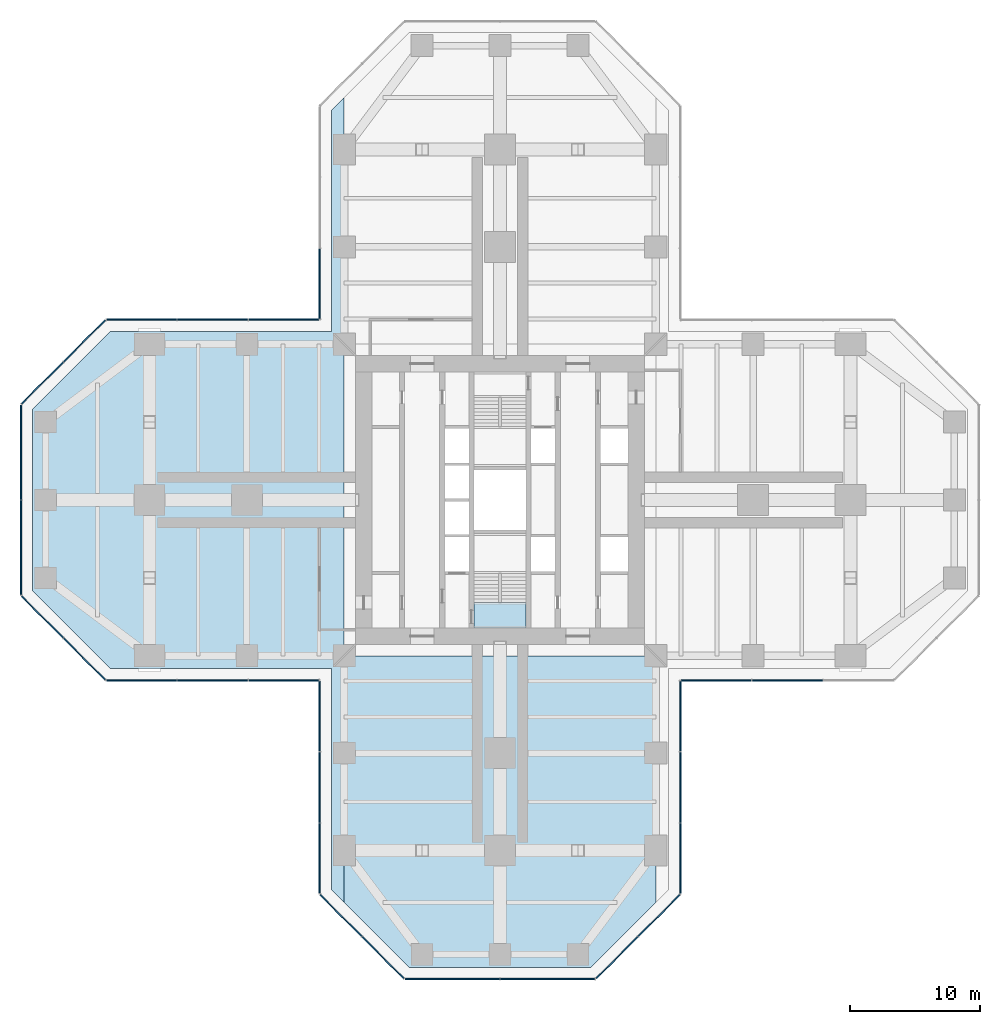
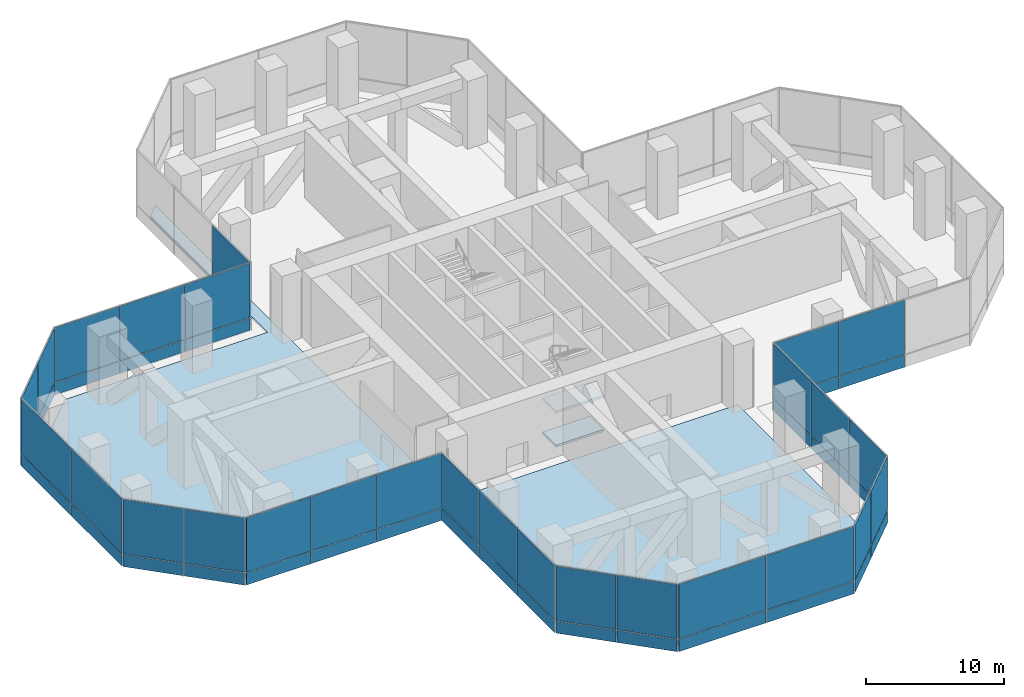
# One storey, part 13 of 20: 54 plates, 4 slabs, 13 elements without a shape of their own.
"""IFC4 building model written with IfcOpenShell, lengths in metres."""

from ifc_helpers import new_model, si_unit, direction, frame, origin, origin_2d, place, context, subcontext, project, spatial, polyline, rectangle, outline, extrude, material, layer, layer_set, type_object, element, aggregate, save


model = new_model("IFC4")

# Units and contexts
model_context = context("Model", 3, precision=1e-05, world=origin(), true_north=direction((0.0, 1.0)))
body_context = subcontext(model_context, "Body", "Model", "MODEL_VIEW")
ifc_project = project(units=[si_unit("LENGTHUNIT", "METRE"), si_unit("AREAUNIT", "SQUARE_METRE"), si_unit("VOLUMEUNIT", "CUBIC_METRE"), si_unit("PLANEANGLEUNIT", "RADIAN"), si_unit("MASSUNIT", "GRAM", prefix="KILO")], contexts=[model_context])

# Site, building, storey
site_placement = place(None, origin())
site = spatial("IfcSite", under=ifc_project, at=site_placement, CompositionType="ELEMENT")
building_placement = place(site_placement, origin())
building = spatial("IfcBuilding", under=site, at=building_placement, Name="Mizan Broadcast Tower", CompositionType="ELEMENT")
storey_placement = place(building_placement, frame((0.0, 0.0, 118.199951171875)))
storey = spatial("IfcBuildingStorey", under=building, at=storey_placement, Name="L26", CompositionType="ELEMENT", Elevation=118.199951171875)

# Curtain wall, plates
ifc_material_1 = material(Name="Aluminium framed glazing", Category="aluminium")
curtain_wall_type = type_object("IfcCurtainWallType", Name="PLANT LOUVRE", PredefinedType="USERDEFINED", material=ifc_material_1)
curtain_wall_1_placement = place(storey_placement, origin())
curtain_wall_1 = element("IfcCurtainWall", 1, at=curtain_wall_1_placement, inside=storey, type_object=curtain_wall_type, Name="Plant louvre L26 E side", ObjectType="PLANT LOUVRE", PredefinedType="USERDEFINED")
ifc_material_2 = material(Name="Extruded aluminium weather louvre, pale anodised", Category="aluminium")
ifc_layer_1 = layer(ifc_material_2, 0.10009765625)
ifc_layer_set_1 = layer_set([ifc_layer_1], Name="Extruded aluminium weather louvre, pale anodised")
plate_type = type_object("IfcPlateType", Name="PLANT LOUVRE PANEL", PredefinedType="USERDEFINED", material=ifc_layer_set_1)
plate_1_placement = place(storey_placement, frame((16.660400390625, -13.89990234375, 0.0), z_axis=(0.0, 0.0, 1.0), x_axis=(1.0, 0.0, 0.0)))
plate_1 = element("IfcPlate", 2, at=plate_1_placement, type_object=plate_type, Name="Plant louvre L26 E side panel 1.1", ObjectType="LOUVRE", PredefinedType="USERDEFINED", context=body_context, shape_type="SweptSolid", body=[
    extrude(rectangle(XDim=5.40087890625, YDim=0.10009765625, at=origin_2d()), origin(), (0.0, 0.0, 1.0), 1.070068359375),
])
plate_2_placement = place(storey_placement, frame((16.660400390625, -13.89990234375, 1.130126953125), z_axis=(0.0, 0.0, 1.0), x_axis=(1.0, 0.0, 0.0)))
plate_2 = element("IfcPlate", 3, at=plate_2_placement, type_object=plate_type, Name="Plant louvre L26 E side panel 1.2", ObjectType="LOUVRE", PredefinedType="USERDEFINED", context=body_context, shape_type="SweptSolid", body=[
    extrude(rectangle(XDim=5.40087890625, YDim=0.10009765625, at=origin_2d()), origin(), (0.0, 0.0, 1.0), 4.81005859375),
])
plate_3_placement = place(storey_placement, frame((22.136474609375, -13.89990234375, 0.0), z_axis=(0.0, 0.0, 1.0), x_axis=(1.0, 0.0, 0.0)))
plate_3 = element("IfcPlate", 4, at=plate_3_placement, type_object=plate_type, Name="Plant louvre L26 E side panel 2.1", ObjectType="LOUVRE", PredefinedType="USERDEFINED", context=body_context, shape_type="SweptSolid", body=[
    extrude(rectangle(XDim=5.430908203125, YDim=0.10009765625, at=origin_2d()), origin(), (0.0, 0.0, 1.0), 1.070068359375),
])
plate_4_placement = place(storey_placement, frame((22.136474609375, -13.89990234375, 1.130126953125), z_axis=(0.0, 0.0, 1.0), x_axis=(1.0, 0.0, 0.0)))
plate_4 = element("IfcPlate", 5, at=plate_4_placement, type_object=plate_type, Name="Plant louvre L26 E side panel 2.2", ObjectType="LOUVRE", PredefinedType="USERDEFINED", context=body_context, shape_type="SweptSolid", body=[
    extrude(rectangle(XDim=5.430908203125, YDim=0.10009765625, at=origin_2d()), origin(), (0.0, 0.0, 1.0), 4.81005859375),
])
aggregate(curtain_wall_1, [plate_1, plate_2, plate_3, plate_4])

curtain_wall_2_placement = place(storey_placement, origin())
curtain_wall_2 = element("IfcCurtainWall", 6, at=curtain_wall_2_placement, inside=storey, type_object=curtain_wall_type, Name="Plant louvre L26 N side", ObjectType="PLANT LOUVRE", PredefinedType="USERDEFINED")
plate_5_placement = place(storey_placement, frame((-13.89990234375, 16.660400390625, 0.0), z_axis=(0.0, 0.0, 1.0), x_axis=(0.0, -1.0, 0.0)))
plate_5 = element("IfcPlate", 7, at=plate_5_placement, type_object=plate_type, Name="Plant louvre L26 N side panel 3.1", ObjectType="LOUVRE", PredefinedType="USERDEFINED", context=body_context, shape_type="SweptSolid", body=[
    extrude(rectangle(XDim=5.40087890625, YDim=0.10009765625, at=origin_2d()), origin(), (0.0, 0.0, 1.0), 1.070068359375),
])
plate_6_placement = place(storey_placement, frame((-13.89990234375, 16.660400390625, 1.130126953125), z_axis=(0.0, 0.0, 1.0), x_axis=(0.0, -1.0, 0.0)))
plate_6 = element("IfcPlate", 8, at=plate_6_placement, type_object=plate_type, Name="Plant louvre L26 N side panel 3.2", ObjectType="LOUVRE", PredefinedType="USERDEFINED", context=body_context, shape_type="SweptSolid", body=[
    extrude(rectangle(XDim=5.40087890625, YDim=0.10009765625, at=origin_2d()), origin(), (0.0, 0.0, 1.0), 4.81005859375),
])
aggregate(curtain_wall_2, [plate_5, plate_6])

curtain_wall_3_placement = place(storey_placement, origin())
curtain_wall_3 = element("IfcCurtainWall", 9, at=curtain_wall_3_placement, inside=storey, type_object=curtain_wall_type, Name="Plant louvre L26 W side", ObjectType="PLANT LOUVRE", PredefinedType="USERDEFINED")
plate_7_placement = place(storey_placement, frame((-16.660400390625, 13.89990234375, 0.0), z_axis=(0.0, 0.0, 1.0), x_axis=(-1.0, 0.0, 0.0)))
plate_7 = element("IfcPlate", 10, at=plate_7_placement, type_object=plate_type, Name="Plant louvre L26 W side panel 1.1", ObjectType="LOUVRE", PredefinedType="USERDEFINED", context=body_context, shape_type="SweptSolid", body=[
    extrude(rectangle(XDim=5.40087890625, YDim=0.10009765625, at=origin_2d()), origin(), (0.0, 0.0, 1.0), 1.070068359375),
])
plate_8_placement = place(storey_placement, frame((-16.660400390625, 13.89990234375, 1.130126953125), z_axis=(0.0, 0.0, 1.0), x_axis=(-1.0, 0.0, 0.0)))
plate_8 = element("IfcPlate", 11, at=plate_8_placement, type_object=plate_type, Name="Plant louvre L26 W side panel 1.2", ObjectType="LOUVRE", PredefinedType="USERDEFINED", context=body_context, shape_type="SweptSolid", body=[
    extrude(rectangle(XDim=5.40087890625, YDim=0.10009765625, at=origin_2d()), origin(), (0.0, 0.0, 1.0), 4.81005859375),
])
plate_9_placement = place(storey_placement, frame((-22.136474609375, 13.89990234375, 0.0), z_axis=(0.0, 0.0, 1.0), x_axis=(-1.0, 0.0, 0.0)))
plate_9 = element("IfcPlate", 12, at=plate_9_placement, type_object=plate_type, Name="Plant louvre L26 W side panel 2.1", ObjectType="LOUVRE", PredefinedType="USERDEFINED", context=body_context, shape_type="SweptSolid", body=[
    extrude(rectangle(XDim=5.430908203125, YDim=0.10009765625, at=origin_2d()), origin(), (0.0, 0.0, 1.0), 1.070068359375),
])
plate_10_placement = place(storey_placement, frame((-22.136474609375, 13.89990234375, 1.130126953125), z_axis=(0.0, 0.0, 1.0), x_axis=(-1.0, 0.0, 0.0)))
plate_10 = element("IfcPlate", 13, at=plate_10_placement, type_object=plate_type, Name="Plant louvre L26 W side panel 2.2", ObjectType="LOUVRE", PredefinedType="USERDEFINED", context=body_context, shape_type="SweptSolid", body=[
    extrude(rectangle(XDim=5.430908203125, YDim=0.10009765625, at=origin_2d()), origin(), (0.0, 0.0, 1.0), 4.81005859375),
])
plate_11_placement = place(storey_placement, frame((-27.6123046875, 13.89990234375, 0.0), z_axis=(0.0, 0.0, 1.0), x_axis=(-1.0, 0.0, 0.0)))
plate_11 = element("IfcPlate", 14, at=plate_11_placement, type_object=plate_type, Name="Plant louvre L26 W side panel 3.1", ObjectType="LOUVRE", PredefinedType="USERDEFINED", context=body_context, shape_type="SweptSolid", body=[
    extrude(rectangle(XDim=5.40087890625, YDim=0.10009765625, at=origin_2d()), origin(), (0.0, 0.0, 1.0), 1.070068359375),
])
plate_12_placement = place(storey_placement, frame((-27.6123046875, 13.89990234375, 1.130126953125), z_axis=(0.0, 0.0, 1.0), x_axis=(-1.0, 0.0, 0.0)))
plate_12 = element("IfcPlate", 15, at=plate_12_placement, type_object=plate_type, Name="Plant louvre L26 W side panel 3.2", ObjectType="LOUVRE", PredefinedType="USERDEFINED", context=body_context, shape_type="SweptSolid", body=[
    extrude(rectangle(XDim=5.40087890625, YDim=0.10009765625, at=origin_2d()), origin(), (0.0, 0.0, 1.0), 4.81005859375),
])
aggregate(curtain_wall_3, [plate_7, plate_8, plate_9, plate_10, plate_11, plate_12])

curtain_wall_4_placement = place(storey_placement, origin())
curtain_wall_4 = element("IfcCurtainWall", 16, at=curtain_wall_4_placement, inside=storey, type_object=curtain_wall_type, Name="Plant louvre L26 W chamfer", ObjectType="PLANT LOUVRE", PredefinedType="USERDEFINED")
plate_13_placement = place(storey_placement, frame((-32.01513671875, 12.257568359375, 0.0), z_axis=(0.0, 0.0, 1.0), x_axis=(-0.707106781187, -0.707106781187, 0.0)))
plate_13 = element("IfcPlate", 17, at=plate_13_placement, type_object=plate_type, Name="Plant louvre L26 W chamfer panel 1.1", ObjectType="LOUVRE", PredefinedType="USERDEFINED", context=body_context, shape_type="SweptSolid", body=[
    extrude(rectangle(XDim=4.525390625, YDim=0.10009765625, at=origin_2d()), origin(), (0.0, 0.0, 1.0), 1.070068359375),
])
plate_14_placement = place(storey_placement, frame((-32.01513671875, 12.257568359375, 1.130126953125), z_axis=(0.0, 0.0, 1.0), x_axis=(-0.707106781187, -0.707106781187, 0.0)))
plate_14 = element("IfcPlate", 18, at=plate_14_placement, type_object=plate_type, Name="Plant louvre L26 W chamfer panel 1.2", ObjectType="LOUVRE", PredefinedType="USERDEFINED", context=body_context, shape_type="SweptSolid", body=[
    extrude(rectangle(XDim=4.525390625, YDim=0.10009765625, at=origin_2d()), origin(), (0.0, 0.0, 1.0), 4.81005859375),
])
plate_15_placement = place(storey_placement, frame((-35.257568359375, 9.01513671875, 0.0), z_axis=(0.0, 0.0, 1.0), x_axis=(-0.707106781187, -0.707106781187, 0.0)))
plate_15 = element("IfcPlate", 19, at=plate_15_placement, type_object=plate_type, Name="Plant louvre L26 W chamfer panel 2.1", ObjectType="LOUVRE", PredefinedType="USERDEFINED", context=body_context, shape_type="SweptSolid", body=[
    extrude(rectangle(XDim=4.525390625, YDim=0.10009765625, at=origin_2d()), origin(), (0.0, 0.0, 1.0), 1.070068359375),
])
plate_16_placement = place(storey_placement, frame((-35.257568359375, 9.01513671875, 1.130126953125), z_axis=(0.0, 0.0, 1.0), x_axis=(-0.707106781187, -0.707106781187, 0.0)))
plate_16 = element("IfcPlate", 20, at=plate_16_placement, type_object=plate_type, Name="Plant louvre L26 W chamfer panel 2.2", ObjectType="LOUVRE", PredefinedType="USERDEFINED", context=body_context, shape_type="SweptSolid", body=[
    extrude(rectangle(XDim=4.525390625, YDim=0.10009765625, at=origin_2d()), origin(), (0.0, 0.0, 1.0), 4.81005859375),
])
aggregate(curtain_wall_4, [plate_13, plate_14, plate_15, plate_16])

curtain_wall_5_placement = place(storey_placement, origin())
curtain_wall_5 = element("IfcCurtainWall", 21, at=curtain_wall_5_placement, inside=storey, type_object=curtain_wall_type, Name="Plant louvre L26 W end", ObjectType="PLANT LOUVRE", PredefinedType="USERDEFINED")
plate_17_placement = place(storey_placement, frame((-36.89990234375, 3.67138671875, 0.0), z_axis=(0.0, 0.0, 1.0), x_axis=(0.0, -1.0, 0.0)))
plate_17 = element("IfcPlate", 22, at=plate_17_placement, type_object=plate_type, Name="Plant louvre L26 W end panel 1.1", ObjectType="LOUVRE", PredefinedType="USERDEFINED", context=body_context, shape_type="SweptSolid", body=[
    extrude(rectangle(XDim=7.28271484375, YDim=0.10009765625, at=origin_2d()), origin(), (0.0, 0.0, 1.0), 1.070068359375),
])
plate_18_placement = place(storey_placement, frame((-36.89990234375, 3.67138671875, 1.130126953125), z_axis=(0.0, 0.0, 1.0), x_axis=(0.0, -1.0, 0.0)))
plate_18 = element("IfcPlate", 23, at=plate_18_placement, type_object=plate_type, Name="Plant louvre L26 W end panel 1.2", ObjectType="LOUVRE", PredefinedType="USERDEFINED", context=body_context, shape_type="SweptSolid", body=[
    extrude(rectangle(XDim=7.28271484375, YDim=0.10009765625, at=origin_2d()), origin(), (0.0, 0.0, 1.0), 4.81005859375),
])
plate_19_placement = place(storey_placement, frame((-36.89990234375, -3.67138671875, 0.0), z_axis=(0.0, 0.0, 1.0), x_axis=(0.0, -1.0, 0.0)))
plate_19 = element("IfcPlate", 24, at=plate_19_placement, type_object=plate_type, Name="Plant louvre L26 W end panel 2.1", ObjectType="LOUVRE", PredefinedType="USERDEFINED", context=body_context, shape_type="SweptSolid", body=[
    extrude(rectangle(XDim=7.28271484375, YDim=0.10009765625, at=origin_2d()), origin(), (0.0, 0.0, 1.0), 1.070068359375),
])
plate_20_placement = place(storey_placement, frame((-36.89990234375, -3.67138671875, 1.130126953125), z_axis=(0.0, 0.0, 1.0), x_axis=(0.0, -1.0, 0.0)))
plate_20 = element("IfcPlate", 25, at=plate_20_placement, type_object=plate_type, Name="Plant louvre L26 W end panel 2.2", ObjectType="LOUVRE", PredefinedType="USERDEFINED", context=body_context, shape_type="SweptSolid", body=[
    extrude(rectangle(XDim=7.28271484375, YDim=0.10009765625, at=origin_2d()), origin(), (0.0, 0.0, 1.0), 4.81005859375),
])
aggregate(curtain_wall_5, [plate_17, plate_18, plate_19, plate_20])

curtain_wall_6_placement = place(storey_placement, origin())
curtain_wall_6 = element("IfcCurtainWall", 26, at=curtain_wall_6_placement, inside=storey, type_object=curtain_wall_type, Name="Plant louvre L26 W chamfer", ObjectType="PLANT LOUVRE", PredefinedType="USERDEFINED")
plate_21_placement = place(storey_placement, frame((-35.257568359375, -9.01513671875, 0.0), z_axis=(0.0, 0.0, 1.0), x_axis=(0.707106781187, -0.707106781187, 0.0)))
plate_21 = element("IfcPlate", 27, at=plate_21_placement, type_object=plate_type, Name="Plant louvre L26 W chamfer panel 1.1", ObjectType="LOUVRE", PredefinedType="USERDEFINED", context=body_context, shape_type="SweptSolid", body=[
    extrude(rectangle(XDim=4.525390625, YDim=0.10009765625, at=origin_2d()), origin(), (0.0, 0.0, 1.0), 1.070068359375),
])
plate_22_placement = place(storey_placement, frame((-35.257568359375, -9.01513671875, 1.130126953125), z_axis=(0.0, 0.0, 1.0), x_axis=(0.707106781187, -0.707106781187, 0.0)))
plate_22 = element("IfcPlate", 28, at=plate_22_placement, type_object=plate_type, Name="Plant louvre L26 W chamfer panel 1.2", ObjectType="LOUVRE", PredefinedType="USERDEFINED", context=body_context, shape_type="SweptSolid", body=[
    extrude(rectangle(XDim=4.525390625, YDim=0.10009765625, at=origin_2d()), origin(), (0.0, 0.0, 1.0), 4.81005859375),
])
plate_23_placement = place(storey_placement, frame((-32.01513671875, -12.257568359375, 0.0), z_axis=(0.0, 0.0, 1.0), x_axis=(0.707106781187, -0.707106781187, 0.0)))
plate_23 = element("IfcPlate", 29, at=plate_23_placement, type_object=plate_type, Name="Plant louvre L26 W chamfer panel 2.1", ObjectType="LOUVRE", PredefinedType="USERDEFINED", context=body_context, shape_type="SweptSolid", body=[
    extrude(rectangle(XDim=4.525390625, YDim=0.10009765625, at=origin_2d()), origin(), (0.0, 0.0, 1.0), 1.070068359375),
])
plate_24_placement = place(storey_placement, frame((-32.01513671875, -12.257568359375, 1.130126953125), z_axis=(0.0, 0.0, 1.0), x_axis=(0.707106781187, -0.707106781187, 0.0)))
plate_24 = element("IfcPlate", 30, at=plate_24_placement, type_object=plate_type, Name="Plant louvre L26 W chamfer panel 2.2", ObjectType="LOUVRE", PredefinedType="USERDEFINED", context=body_context, shape_type="SweptSolid", body=[
    extrude(rectangle(XDim=4.525390625, YDim=0.10009765625, at=origin_2d()), origin(), (0.0, 0.0, 1.0), 4.81005859375),
])
aggregate(curtain_wall_6, [plate_21, plate_22, plate_23, plate_24])

curtain_wall_7_placement = place(storey_placement, origin())
curtain_wall_7 = element("IfcCurtainWall", 31, at=curtain_wall_7_placement, inside=storey, type_object=curtain_wall_type, Name="Plant louvre L26 W side", ObjectType="PLANT LOUVRE", PredefinedType="USERDEFINED")
plate_25_placement = place(storey_placement, frame((-27.6123046875, -13.89990234375, 0.0), z_axis=(0.0, 0.0, 1.0), x_axis=(1.0, 0.0, 0.0)))
plate_25 = element("IfcPlate", 32, at=plate_25_placement, type_object=plate_type, Name="Plant louvre L26 W side panel 1.1", ObjectType="LOUVRE", PredefinedType="USERDEFINED", context=body_context, shape_type="SweptSolid", body=[
    extrude(rectangle(XDim=5.40087890625, YDim=0.10009765625, at=origin_2d()), origin(), (0.0, 0.0, 1.0), 1.070068359375),
])
plate_26_placement = place(storey_placement, frame((-27.6123046875, -13.89990234375, 1.130126953125), z_axis=(0.0, 0.0, 1.0), x_axis=(1.0, 0.0, 0.0)))
plate_26 = element("IfcPlate", 33, at=plate_26_placement, type_object=plate_type, Name="Plant louvre L26 W side panel 1.2", ObjectType="LOUVRE", PredefinedType="USERDEFINED", context=body_context, shape_type="SweptSolid", body=[
    extrude(rectangle(XDim=5.40087890625, YDim=0.10009765625, at=origin_2d()), origin(), (0.0, 0.0, 1.0), 4.81005859375),
])
plate_27_placement = place(storey_placement, frame((-22.136474609375, -13.89990234375, 0.0), z_axis=(0.0, 0.0, 1.0), x_axis=(1.0, 0.0, 0.0)))
plate_27 = element("IfcPlate", 34, at=plate_27_placement, type_object=plate_type, Name="Plant louvre L26 W side panel 2.1", ObjectType="LOUVRE", PredefinedType="USERDEFINED", context=body_context, shape_type="SweptSolid", body=[
    extrude(rectangle(XDim=5.430908203125, YDim=0.10009765625, at=origin_2d()), origin(), (0.0, 0.0, 1.0), 1.070068359375),
])
plate_28_placement = place(storey_placement, frame((-22.136474609375, -13.89990234375, 1.130126953125), z_axis=(0.0, 0.0, 1.0), x_axis=(1.0, 0.0, 0.0)))
plate_28 = element("IfcPlate", 35, at=plate_28_placement, type_object=plate_type, Name="Plant louvre L26 W side panel 2.2", ObjectType="LOUVRE", PredefinedType="USERDEFINED", context=body_context, shape_type="SweptSolid", body=[
    extrude(rectangle(XDim=5.430908203125, YDim=0.10009765625, at=origin_2d()), origin(), (0.0, 0.0, 1.0), 4.81005859375),
])
plate_29_placement = place(storey_placement, frame((-16.660400390625, -13.89990234375, 0.0), z_axis=(0.0, 0.0, 1.0), x_axis=(1.0, 0.0, 0.0)))
plate_29 = element("IfcPlate", 36, at=plate_29_placement, type_object=plate_type, Name="Plant louvre L26 W side panel 3.1", ObjectType="LOUVRE", PredefinedType="USERDEFINED", context=body_context, shape_type="SweptSolid", body=[
    extrude(rectangle(XDim=5.40087890625, YDim=0.10009765625, at=origin_2d()), origin(), (0.0, 0.0, 1.0), 1.070068359375),
])
plate_30_placement = place(storey_placement, frame((-16.660400390625, -13.89990234375, 1.130126953125), z_axis=(0.0, 0.0, 1.0), x_axis=(1.0, 0.0, 0.0)))
plate_30 = element("IfcPlate", 37, at=plate_30_placement, type_object=plate_type, Name="Plant louvre L26 W side panel 3.2", ObjectType="LOUVRE", PredefinedType="USERDEFINED", context=body_context, shape_type="SweptSolid", body=[
    extrude(rectangle(XDim=5.40087890625, YDim=0.10009765625, at=origin_2d()), origin(), (0.0, 0.0, 1.0), 4.81005859375),
])
aggregate(curtain_wall_7, [plate_25, plate_26, plate_27, plate_28, plate_29, plate_30])

curtain_wall_8_placement = place(storey_placement, origin())
curtain_wall_8 = element("IfcCurtainWall", 38, at=curtain_wall_8_placement, inside=storey, type_object=curtain_wall_type, Name="Plant louvre L26 S side", ObjectType="PLANT LOUVRE", PredefinedType="USERDEFINED")
plate_31_placement = place(storey_placement, frame((-13.89990234375, -16.660400390625, 0.0), z_axis=(0.0, 0.0, 1.0), x_axis=(0.0, -1.0, 0.0)))
plate_31 = element("IfcPlate", 39, at=plate_31_placement, type_object=plate_type, Name="Plant louvre L26 S side panel 1.1", ObjectType="LOUVRE", PredefinedType="USERDEFINED", context=body_context, shape_type="SweptSolid", body=[
    extrude(rectangle(XDim=5.40087890625, YDim=0.10009765625, at=origin_2d()), origin(), (0.0, 0.0, 1.0), 1.070068359375),
])
plate_32_placement = place(storey_placement, frame((-13.89990234375, -16.660400390625, 1.130126953125), z_axis=(0.0, 0.0, 1.0), x_axis=(0.0, -1.0, 0.0)))
plate_32 = element("IfcPlate", 40, at=plate_32_placement, type_object=plate_type, Name="Plant louvre L26 S side panel 1.2", ObjectType="LOUVRE", PredefinedType="USERDEFINED", context=body_context, shape_type="SweptSolid", body=[
    extrude(rectangle(XDim=5.40087890625, YDim=0.10009765625, at=origin_2d()), origin(), (0.0, 0.0, 1.0), 4.81005859375),
])
plate_33_placement = place(storey_placement, frame((-13.89990234375, -22.136474609375, 0.0), z_axis=(0.0, 0.0, 1.0), x_axis=(0.0, -1.0, 0.0)))
plate_33 = element("IfcPlate", 41, at=plate_33_placement, type_object=plate_type, Name="Plant louvre L26 S side panel 2.1", ObjectType="LOUVRE", PredefinedType="USERDEFINED", context=body_context, shape_type="SweptSolid", body=[
    extrude(rectangle(XDim=5.430908203125, YDim=0.10009765625, at=origin_2d()), origin(), (0.0, 0.0, 1.0), 1.070068359375),
])
plate_34_placement = place(storey_placement, frame((-13.89990234375, -22.136474609375, 1.130126953125), z_axis=(0.0, 0.0, 1.0), x_axis=(0.0, -1.0, 0.0)))
plate_34 = element("IfcPlate", 42, at=plate_34_placement, type_object=plate_type, Name="Plant louvre L26 S side panel 2.2", ObjectType="LOUVRE", PredefinedType="USERDEFINED", context=body_context, shape_type="SweptSolid", body=[
    extrude(rectangle(XDim=5.430908203125, YDim=0.10009765625, at=origin_2d()), origin(), (0.0, 0.0, 1.0), 4.81005859375),
])
plate_35_placement = place(storey_placement, frame((-13.89990234375, -27.6123046875, 0.0), z_axis=(0.0, 0.0, 1.0), x_axis=(0.0, -1.0, 0.0)))
plate_35 = element("IfcPlate", 43, at=plate_35_placement, type_object=plate_type, Name="Plant louvre L26 S side panel 3.1", ObjectType="LOUVRE", PredefinedType="USERDEFINED", context=body_context, shape_type="SweptSolid", body=[
    extrude(rectangle(XDim=5.40087890625, YDim=0.10009765625, at=origin_2d()), origin(), (0.0, 0.0, 1.0), 1.070068359375),
])
plate_36_placement = place(storey_placement, frame((-13.89990234375, -27.6123046875, 1.130126953125), z_axis=(0.0, 0.0, 1.0), x_axis=(0.0, -1.0, 0.0)))
plate_36 = element("IfcPlate", 44, at=plate_36_placement, type_object=plate_type, Name="Plant louvre L26 S side panel 3.2", ObjectType="LOUVRE", PredefinedType="USERDEFINED", context=body_context, shape_type="SweptSolid", body=[
    extrude(rectangle(XDim=5.40087890625, YDim=0.10009765625, at=origin_2d()), origin(), (0.0, 0.0, 1.0), 4.81005859375),
])
aggregate(curtain_wall_8, [plate_31, plate_32, plate_33, plate_34, plate_35, plate_36])

curtain_wall_9_placement = place(storey_placement, origin())
curtain_wall_9 = element("IfcCurtainWall", 45, at=curtain_wall_9_placement, inside=storey, type_object=curtain_wall_type, Name="Plant louvre L26 S chamfer", ObjectType="PLANT LOUVRE", PredefinedType="USERDEFINED")
plate_37_placement = place(storey_placement, frame((-12.257568359375, -32.01513671875, 0.0), z_axis=(0.0, 0.0, 1.0), x_axis=(0.707106781187, -0.707106781187, 0.0)))
plate_37 = element("IfcPlate", 46, at=plate_37_placement, type_object=plate_type, Name="Plant louvre L26 S chamfer panel 1.1", ObjectType="LOUVRE", PredefinedType="USERDEFINED", context=body_context, shape_type="SweptSolid", body=[
    extrude(rectangle(XDim=4.525390625, YDim=0.10009765625, at=origin_2d()), origin(), (0.0, 0.0, 1.0), 1.070068359375),
])
plate_38_placement = place(storey_placement, frame((-12.257568359375, -32.01513671875, 1.130126953125), z_axis=(0.0, 0.0, 1.0), x_axis=(0.707106781187, -0.707106781187, 0.0)))
plate_38 = element("IfcPlate", 47, at=plate_38_placement, type_object=plate_type, Name="Plant louvre L26 S chamfer panel 1.2", ObjectType="LOUVRE", PredefinedType="USERDEFINED", context=body_context, shape_type="SweptSolid", body=[
    extrude(rectangle(XDim=4.525390625, YDim=0.10009765625, at=origin_2d()), origin(), (0.0, 0.0, 1.0), 4.81005859375),
])
plate_39_placement = place(storey_placement, frame((-9.01513671875, -35.257568359375, 0.0), z_axis=(0.0, 0.0, 1.0), x_axis=(0.707106781187, -0.707106781187, 0.0)))
plate_39 = element("IfcPlate", 48, at=plate_39_placement, type_object=plate_type, Name="Plant louvre L26 S chamfer panel 2.1", ObjectType="LOUVRE", PredefinedType="USERDEFINED", context=body_context, shape_type="SweptSolid", body=[
    extrude(rectangle(XDim=4.525390625, YDim=0.10009765625, at=origin_2d()), origin(), (0.0, 0.0, 1.0), 1.070068359375),
])
plate_40_placement = place(storey_placement, frame((-9.01513671875, -35.257568359375, 1.130126953125), z_axis=(0.0, 0.0, 1.0), x_axis=(0.707106781187, -0.707106781187, 0.0)))
plate_40 = element("IfcPlate", 49, at=plate_40_placement, type_object=plate_type, Name="Plant louvre L26 S chamfer panel 2.2", ObjectType="LOUVRE", PredefinedType="USERDEFINED", context=body_context, shape_type="SweptSolid", body=[
    extrude(rectangle(XDim=4.525390625, YDim=0.10009765625, at=origin_2d()), origin(), (0.0, 0.0, 1.0), 4.81005859375),
])
aggregate(curtain_wall_9, [plate_37, plate_38, plate_39, plate_40])

curtain_wall_10_placement = place(storey_placement, origin())
curtain_wall_10 = element("IfcCurtainWall", 50, at=curtain_wall_10_placement, inside=storey, type_object=curtain_wall_type, Name="Plant louvre L26 S end", ObjectType="PLANT LOUVRE", PredefinedType="USERDEFINED")
plate_41_placement = place(storey_placement, frame((-3.67138671875, -36.89990234375, 0.0), z_axis=(0.0, 0.0, 1.0), x_axis=(1.0, 0.0, 0.0)))
plate_41 = element("IfcPlate", 51, at=plate_41_placement, type_object=plate_type, Name="Plant louvre L26 S end panel 1.1", ObjectType="LOUVRE", PredefinedType="USERDEFINED", context=body_context, shape_type="SweptSolid", body=[
    extrude(rectangle(XDim=7.28271484375, YDim=0.10009765625, at=origin_2d()), origin(), (0.0, 0.0, 1.0), 1.070068359375),
])
plate_42_placement = place(storey_placement, frame((-3.67138671875, -36.89990234375, 1.130126953125), z_axis=(0.0, 0.0, 1.0), x_axis=(1.0, 0.0, 0.0)))
plate_42 = element("IfcPlate", 52, at=plate_42_placement, type_object=plate_type, Name="Plant louvre L26 S end panel 1.2", ObjectType="LOUVRE", PredefinedType="USERDEFINED", context=body_context, shape_type="SweptSolid", body=[
    extrude(rectangle(XDim=7.28271484375, YDim=0.10009765625, at=origin_2d()), origin(), (0.0, 0.0, 1.0), 4.81005859375),
])
plate_43_placement = place(storey_placement, frame((3.67138671875, -36.89990234375, 0.0), z_axis=(0.0, 0.0, 1.0), x_axis=(1.0, 0.0, 0.0)))
plate_43 = element("IfcPlate", 53, at=plate_43_placement, type_object=plate_type, Name="Plant louvre L26 S end panel 2.1", ObjectType="LOUVRE", PredefinedType="USERDEFINED", context=body_context, shape_type="SweptSolid", body=[
    extrude(rectangle(XDim=7.28271484375, YDim=0.10009765625, at=origin_2d()), origin(), (0.0, 0.0, 1.0), 1.070068359375),
])
plate_44_placement = place(storey_placement, frame((3.67138671875, -36.89990234375, 1.130126953125), z_axis=(0.0, 0.0, 1.0), x_axis=(1.0, 0.0, 0.0)))
plate_44 = element("IfcPlate", 54, at=plate_44_placement, type_object=plate_type, Name="Plant louvre L26 S end panel 2.2", ObjectType="LOUVRE", PredefinedType="USERDEFINED", context=body_context, shape_type="SweptSolid", body=[
    extrude(rectangle(XDim=7.28271484375, YDim=0.10009765625, at=origin_2d()), origin(), (0.0, 0.0, 1.0), 4.81005859375),
])
aggregate(curtain_wall_10, [plate_41, plate_42, plate_43, plate_44])

curtain_wall_11_placement = place(storey_placement, origin())
curtain_wall_11 = element("IfcCurtainWall", 55, at=curtain_wall_11_placement, inside=storey, type_object=curtain_wall_type, Name="Plant louvre L26 S chamfer", ObjectType="PLANT LOUVRE", PredefinedType="USERDEFINED")
plate_45_placement = place(storey_placement, frame((9.01513671875, -35.257568359375, 0.0), z_axis=(0.0, 0.0, 1.0), x_axis=(0.707106781187, 0.707106781187, 0.0)))
plate_45 = element("IfcPlate", 56, at=plate_45_placement, type_object=plate_type, Name="Plant louvre L26 S chamfer panel 1.1", ObjectType="LOUVRE", PredefinedType="USERDEFINED", context=body_context, shape_type="SweptSolid", body=[
    extrude(rectangle(XDim=4.525390625, YDim=0.10009765625, at=origin_2d()), origin(), (0.0, 0.0, 1.0), 1.070068359375),
])
plate_46_placement = place(storey_placement, frame((9.01513671875, -35.257568359375, 1.130126953125), z_axis=(0.0, 0.0, 1.0), x_axis=(0.707106781187, 0.707106781187, 0.0)))
plate_46 = element("IfcPlate", 57, at=plate_46_placement, type_object=plate_type, Name="Plant louvre L26 S chamfer panel 1.2", ObjectType="LOUVRE", PredefinedType="USERDEFINED", context=body_context, shape_type="SweptSolid", body=[
    extrude(rectangle(XDim=4.525390625, YDim=0.10009765625, at=origin_2d()), origin(), (0.0, 0.0, 1.0), 4.81005859375),
])
plate_47_placement = place(storey_placement, frame((12.257568359375, -32.01513671875, 0.0), z_axis=(0.0, 0.0, 1.0), x_axis=(0.707106781187, 0.707106781187, 0.0)))
plate_47 = element("IfcPlate", 58, at=plate_47_placement, type_object=plate_type, Name="Plant louvre L26 S chamfer panel 2.1", ObjectType="LOUVRE", PredefinedType="USERDEFINED", context=body_context, shape_type="SweptSolid", body=[
    extrude(rectangle(XDim=4.525390625, YDim=0.10009765625, at=origin_2d()), origin(), (0.0, 0.0, 1.0), 1.070068359375),
])
plate_48_placement = place(storey_placement, frame((12.257568359375, -32.01513671875, 1.130126953125), z_axis=(0.0, 0.0, 1.0), x_axis=(0.707106781187, 0.707106781187, 0.0)))
plate_48 = element("IfcPlate", 59, at=plate_48_placement, type_object=plate_type, Name="Plant louvre L26 S chamfer panel 2.2", ObjectType="LOUVRE", PredefinedType="USERDEFINED", context=body_context, shape_type="SweptSolid", body=[
    extrude(rectangle(XDim=4.525390625, YDim=0.10009765625, at=origin_2d()), origin(), (0.0, 0.0, 1.0), 4.81005859375),
])
aggregate(curtain_wall_11, [plate_45, plate_46, plate_47, plate_48])

curtain_wall_12_placement = place(storey_placement, origin())
curtain_wall_12 = element("IfcCurtainWall", 60, at=curtain_wall_12_placement, inside=storey, type_object=curtain_wall_type, Name="Plant louvre L26 S side", ObjectType="PLANT LOUVRE", PredefinedType="USERDEFINED")
plate_49_placement = place(storey_placement, frame((13.89990234375, -27.6123046875, 0.0), z_axis=(0.0, 0.0, 1.0), x_axis=(0.0, 1.0, 0.0)))
plate_49 = element("IfcPlate", 61, at=plate_49_placement, type_object=plate_type, Name="Plant louvre L26 S side panel 1.1", ObjectType="LOUVRE", PredefinedType="USERDEFINED", context=body_context, shape_type="SweptSolid", body=[
    extrude(rectangle(XDim=5.40087890625, YDim=0.10009765625, at=origin_2d()), origin(), (0.0, 0.0, 1.0), 1.070068359375),
])
plate_50_placement = place(storey_placement, frame((13.89990234375, -27.6123046875, 1.130126953125), z_axis=(0.0, 0.0, 1.0), x_axis=(0.0, 1.0, 0.0)))
plate_50 = element("IfcPlate", 62, at=plate_50_placement, type_object=plate_type, Name="Plant louvre L26 S side panel 1.2", ObjectType="LOUVRE", PredefinedType="USERDEFINED", context=body_context, shape_type="SweptSolid", body=[
    extrude(rectangle(XDim=5.40087890625, YDim=0.10009765625, at=origin_2d()), origin(), (0.0, 0.0, 1.0), 4.81005859375),
])
plate_51_placement = place(storey_placement, frame((13.89990234375, -22.136474609375, 0.0), z_axis=(0.0, 0.0, 1.0), x_axis=(0.0, 1.0, 0.0)))
plate_51 = element("IfcPlate", 63, at=plate_51_placement, type_object=plate_type, Name="Plant louvre L26 S side panel 2.1", ObjectType="LOUVRE", PredefinedType="USERDEFINED", context=body_context, shape_type="SweptSolid", body=[
    extrude(rectangle(XDim=5.430908203125, YDim=0.10009765625, at=origin_2d()), origin(), (0.0, 0.0, 1.0), 1.070068359375),
])
plate_52_placement = place(storey_placement, frame((13.89990234375, -22.136474609375, 1.130126953125), z_axis=(0.0, 0.0, 1.0), x_axis=(0.0, 1.0, 0.0)))
plate_52 = element("IfcPlate", 64, at=plate_52_placement, type_object=plate_type, Name="Plant louvre L26 S side panel 2.2", ObjectType="LOUVRE", PredefinedType="USERDEFINED", context=body_context, shape_type="SweptSolid", body=[
    extrude(rectangle(XDim=5.430908203125, YDim=0.10009765625, at=origin_2d()), origin(), (0.0, 0.0, 1.0), 4.81005859375),
])
plate_53_placement = place(storey_placement, frame((13.89990234375, -16.660400390625, 0.0), z_axis=(0.0, 0.0, 1.0), x_axis=(0.0, 1.0, 0.0)))
plate_53 = element("IfcPlate", 65, at=plate_53_placement, type_object=plate_type, Name="Plant louvre L26 S side panel 3.1", ObjectType="LOUVRE", PredefinedType="USERDEFINED", context=body_context, shape_type="SweptSolid", body=[
    extrude(rectangle(XDim=5.40087890625, YDim=0.10009765625, at=origin_2d()), origin(), (0.0, 0.0, 1.0), 1.070068359375),
])
plate_54_placement = place(storey_placement, frame((13.89990234375, -16.660400390625, 1.130126953125), z_axis=(0.0, 0.0, 1.0), x_axis=(0.0, 1.0, 0.0)))
plate_54 = element("IfcPlate", 66, at=plate_54_placement, type_object=plate_type, Name="Plant louvre L26 S side panel 3.2", ObjectType="LOUVRE", PredefinedType="USERDEFINED", context=body_context, shape_type="SweptSolid", body=[
    extrude(rectangle(XDim=5.40087890625, YDim=0.10009765625, at=origin_2d()), origin(), (0.0, 0.0, 1.0), 4.81005859375),
])
aggregate(curtain_wall_12, [plate_49, plate_50, plate_51, plate_52, plate_53, plate_54])

# Slabs
ifc_material_3 = material(Name="Concrete C32/40", Category="concrete")
ifc_layer_2 = layer(ifc_material_3, 0.179931640625)
ifc_layer_set_2 = layer_set([ifc_layer_2], Name="Concrete C32/40")
slab_type_1 = type_object("IfcSlabType", Name="RC SLAB ON DECK 180", PredefinedType="FLOOR", material=ifc_layer_set_2)
slab_1_placement = place(storey_placement, frame((0.0, 0.0, -0.179931640625)))
element("IfcSlab", 67, at=slab_1_placement, inside=storey, type_object=slab_type_1, Name="Floor slab L26 west arm", PredefinedType="FLOOR", context=body_context, shape_type="SweptSolid", body=[
    extrude(outline(polyline([(-13.0, -30.0), (-12.0, -31.0), (-12.0, 31.0), (-13.0, 30.0), (-13.0, 13.0), (-30.0, 13.0), (-36.0, 7.0), (-36.0, -7.0), (-30.0, -13.0), (-13.0, -13.0), (-13.0, -30.0)])), origin(), (0.0, 0.0, 1.0), 0.179931640625),
])
slab_2_placement = place(storey_placement, frame((0.0, 0.0, -0.179931640625)))
element("IfcSlab", 68, at=slab_2_placement, inside=storey, type_object=slab_type_1, Name="Floor slab L26 south arm", PredefinedType="FLOOR", context=body_context, shape_type="SweptSolid", body=[
    extrude(outline(polyline([(7.0, -36.0), (12.0, -31.0), (12.0, -12.0), (-12.0, -12.0), (-12.0, -31.0), (-7.0, -36.0), (7.0, -36.0)])), origin(), (0.0, 0.0, 1.0), 0.179931640625),
])

# Stair, slabs
ifc_material_4 = material(Name="Concrete C40/50", Category="concrete")
stair_type = type_object("IfcStairType", Name="EXIT STAIR", PredefinedType="HALF_TURN_STAIR", material=ifc_material_4)
stair_placement = place(storey_placement, origin())
stair = element("IfcStair", 69, at=stair_placement, inside=storey, type_object=stair_type, Name="Stair A L26", PredefinedType="HALF_TURN_STAIR")
ifc_material_5 = material(Name="Concrete C40/50", Category="concrete")
ifc_layer_3 = layer(ifc_material_5, 0.199951171875)
ifc_layer_set_3 = layer_set([ifc_layer_3], Name="Concrete C40/50")
slab_type_2 = type_object("IfcSlabType", Name="STAIR LANDING 200", PredefinedType="LANDING", material=ifc_layer_set_3)
slab_3_placement = place(storey_placement, frame((0.0, 0.0, -0.199951171875)))
slab_3 = element("IfcSlab", 70, at=slab_3_placement, type_object=slab_type_2, Name="A landing 1", PredefinedType="LANDING", context=body_context, shape_type="SweptSolid", body=[
    extrude(outline(polyline([(-2.0, -9.85009765625), (-2.0, -7.89990234375), (2.0, -7.89990234375), (2.0, -9.85009765625), (-2.0, -9.85009765625)])), origin(), (0.0, 0.0, 1.0), 0.199951171875),
])
slab_4_placement = place(storey_placement, frame((0.0, 0.0, 2.800048828125)))
slab_4 = element("IfcSlab", 71, at=slab_4_placement, type_object=slab_type_2, Name="A landing 3", PredefinedType="LANDING", context=body_context, shape_type="SweptSolid", body=[
    extrude(outline(polyline([(-2.0, -9.85009765625), (-2.0, -7.89990234375), (2.0, -7.89990234375), (2.0, -9.85009765625), (-2.0, -9.85009765625)])), origin(), (0.0, 0.0, 1.0), 0.199951171875),
])
aggregate(stair, [slab_3, slab_4])

save(model, "model.ifc")
